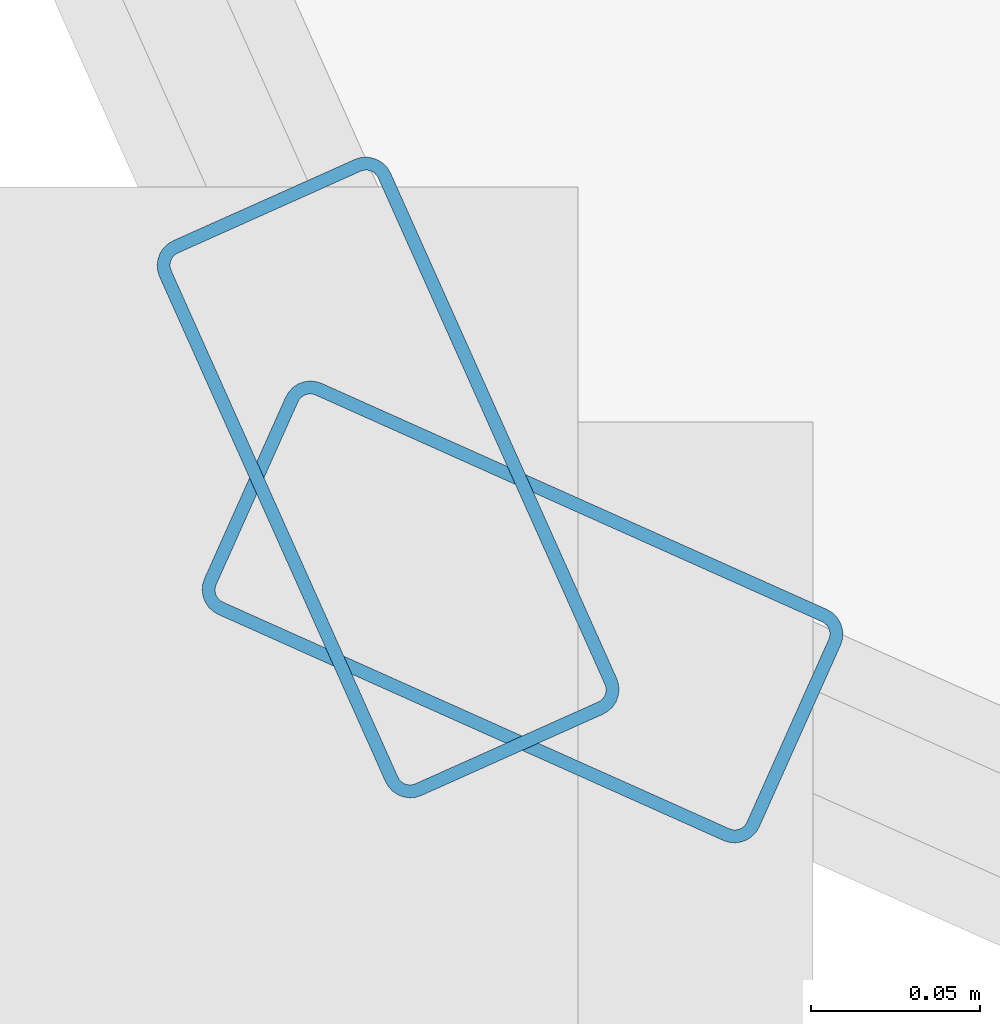
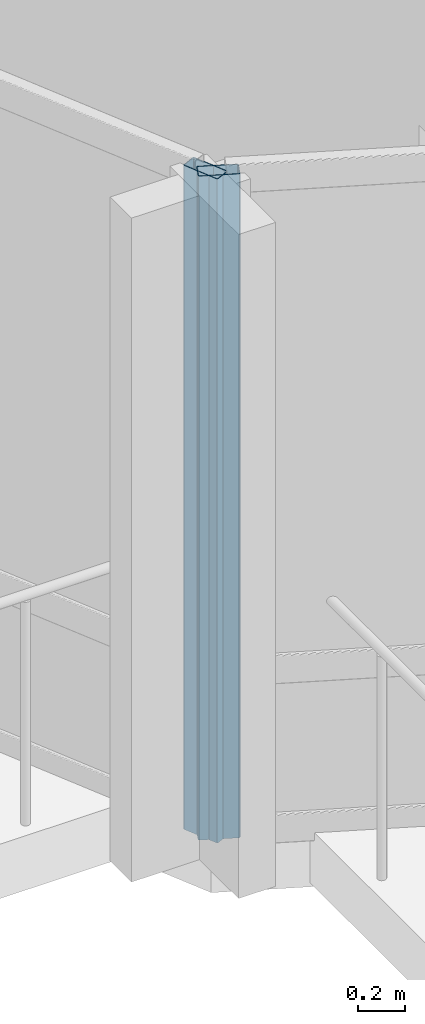
# One storey, part 2 of 19: 2 members, 2 elements without a shape of their own.
"""IFC4 building model written with IfcOpenShell, lengths in metres."""

import ifcopenshell
import ifcopenshell.guid

model = None  # the IFC model being written
_history = None  # IfcOwnerHistory: only IFC2X3 demands one
_inside = {}  # id of a spatial element -> (the spatial element, [elements in it])
_under = {}  # id of a project, library or spatial element -> (it, [spatial elements below it])
_declared = {}  # id of a project -> (the project, [libraries it declares])
_typed = {}  # id of a type object -> (the type object, [elements of that type])
_made_of = {}  # id of a material, layer set ... -> (it, [elements and type objects made of it])


def new_model(schema):
    """Start an empty IFC model of exactly this schema.

    Asked for "IFC4X3", IfcOpenShell would pick the latest addendum, in which some entities
    have other attributes; the version numbers below select the first issue.
    IFC2X3 requires an IfcOwnerHistory on every rooted entity: one is made here for all.
    """
    global model, _history
    if schema == "IFC4X3":
        model = ifcopenshell.file(schema_version=(4, 3, 0, 0))
    else:
        model = ifcopenshell.file(schema=schema)
    _inside.clear()
    _under.clear()
    _declared.clear()
    _typed.clear()
    _made_of.clear()
    _history = None
    if model.schema == "IFC2X3":
        org = make("IfcOrganization", Name="unknown")
        user = make(
            "IfcPersonAndOrganization",
            ThePerson=make("IfcPerson", FamilyName="unknown"),
            TheOrganization=org,
        )
        app = make(
            "IfcApplication",
            ApplicationDeveloper=org,
            Version="unknown",
            ApplicationFullName="unknown",
            ApplicationIdentifier="unknown",
        )
        _history = make(
            "IfcOwnerHistory",
            OwningUser=user,
            OwningApplication=app,
            ChangeAction="ADDED",
            CreationDate=0,
        )
    return model


def make(cls, **values):
    """One entity of the class cls with the attributes given. An attribute that is None is left unset."""
    return model.create_entity(
        cls, **{name: value for name, value in values.items() if value is not None}
    )


def rooted(cls, **values):
    """An entity with a GlobalId (a new one), such as an element, a storey or a relation."""
    return make(cls, GlobalId=ifcopenshell.guid.new(), OwnerHistory=_history, **values)


def si_unit(unit_type, name, prefix=None):
    """IfcSIUnit, for example si_unit("LENGTHUNIT", "METRE", prefix="MILLI")."""
    return make("IfcSIUnit", UnitType=unit_type, Prefix=prefix, Name=name)


def assignment(units):
    """IfcUnitAssignment: the units of a project."""
    return None if units is None else make("IfcUnitAssignment", Units=units)


def point(xyz):
    """IfcCartesianPoint."""
    return None if xyz is None else make("IfcCartesianPoint", Coordinates=xyz)


def direction(xyz):
    """IfcDirection."""
    return None if xyz is None else make("IfcDirection", DirectionRatios=xyz)


def frame(location, z_axis=None, x_axis=None):
    """IfcAxis2Placement3D, a coordinate frame: its origin and axes. An axis left out is left unset."""
    return make(
        "IfcAxis2Placement3D",
        Location=point(location),
        Axis=direction(z_axis),
        RefDirection=direction(x_axis),
    )


def frame_2d(location, x_axis=None):
    """IfcAxis2Placement2D, a coordinate frame in the plane: its origin and x axis."""
    return make(
        "IfcAxis2Placement2D", Location=point(location), RefDirection=direction(x_axis)
    )


def origin():
    """The frame at (0, 0, 0) with its axes left unset."""
    return frame((0.0, 0.0, 0.0))


def origin_2d():
    """The frame at (0, 0) in the plane with its x axis left unset."""
    return frame_2d((0.0, 0.0))


def place(relative_to, where):
    """IfcLocalPlacement: puts the frame where relative to a parent placement (None: the world)."""
    return make(
        "IfcLocalPlacement", PlacementRelTo=relative_to, RelativePlacement=where
    )


def context(
    kind, dimensions, precision=None, world=None, true_north=None, identifier=None
):
    """IfcGeometricRepresentationContext, for example the 3D "Model" context."""
    return make(
        "IfcGeometricRepresentationContext",
        ContextIdentifier=identifier,
        ContextType=kind,
        CoordinateSpaceDimension=dimensions,
        Precision=precision,
        WorldCoordinateSystem=world,
        TrueNorth=true_north,
    )


def subcontext(parent, identifier, kind, view, scale=None):
    """IfcGeometricRepresentationSubContext, for example "Body" below "Model"."""
    return make(
        "IfcGeometricRepresentationSubContext",
        ContextIdentifier=identifier,
        ContextType=kind,
        ParentContext=parent,
        TargetScale=scale,
        TargetView=view,
    )


def project(units=None, contexts=None):
    """IfcProject with its units and contexts."""
    return rooted(
        "IfcProject",
        Name="project",
        RepresentationContexts=contexts,
        UnitsInContext=assignment(units),
    )


def spatial(cls, under=None, at=None, **own):
    """A site, building, storey or space (cls), placed at a placement, below another one or the project."""
    s = rooted(cls, ObjectPlacement=at, **own)
    if under is not None:
        _under.setdefault(under.id(), (under, []))[1].append(s)
    return s


def profile(cls, at=None, kind="AREA", **sizes):
    """A parametric profile (cls). Its sizes go by their IFC names, for example OverallWidth=200.0."""
    return make(cls, ProfileType=kind, Position=at, **sizes)


def hollow_rectangle(**sizes):
    """IfcRectangleHollowProfileDef."""
    return profile("IfcRectangleHollowProfileDef", **sizes)


def extrude(swept, where, along, depth):
    """IfcExtrudedAreaSolid: the profile swept, set in the frame where, extruded along a direction by depth."""
    return make(
        "IfcExtrudedAreaSolid",
        SweptArea=swept,
        Position=where,
        ExtrudedDirection=direction(along),
        Depth=depth,
    )


def shape(context_of_items, identifier, shape_type, items):
    """IfcShapeRepresentation: the items that make up one representation, for example the "Body"."""
    return make(
        "IfcShapeRepresentation",
        ContextOfItems=context_of_items,
        RepresentationIdentifier=identifier,
        RepresentationType=shape_type,
        Items=items,
    )


def material(Name=None, Category=None):
    """IfcMaterial."""
    return make("IfcMaterial", Name=Name, Category=Category)


def layer(
    of_material, thickness, ventilated=None, Name=None, Category=None, Priority=None
):
    """IfcMaterialLayer: one layer of a wall or slab, of a material (None: an air gap)."""
    return make(
        "IfcMaterialLayer",
        Material=of_material,
        LayerThickness=thickness,
        IsVentilated=ventilated,
        Name=Name,
        Category=Category,
        Priority=Priority,
    )


def layer_set(layers, Name=None):
    """IfcMaterialLayerSet."""
    return make("IfcMaterialLayerSet", MaterialLayers=layers, LayerSetName=Name)


def material_profile(
    of_material, cross_section, Name=None, Category=None, Priority=None
):
    """IfcMaterialProfile: a cross section and its material."""
    return make(
        "IfcMaterialProfile",
        Name=Name,
        Material=of_material,
        Profile=cross_section,
        Priority=Priority,
        Category=Category,
    )


def profile_set(profiles, Name=None, composite=None):
    """IfcMaterialProfileSet."""
    return make(
        "IfcMaterialProfileSet",
        Name=Name,
        MaterialProfiles=profiles,
        CompositeProfile=composite,
    )


def made_of(thing, what):
    """Note that an element or type object is made of a material, layer set ...; save() writes the relation."""
    if what is not None:
        _made_of.setdefault(what.id(), (what, []))[1].append(thing)
    return thing


def type_object(cls, material=None, **own):
    """A type object (cls), such as IfcWallType, which elements share."""
    return made_of(rooted(cls, **own), material)


def element(
    cls,
    number,
    at=None,
    inside=None,
    cuts=None,
    type_object=None,
    material=None,
    context=None,
    identifier="Body",
    shape_type=None,
    held_by="IfcProductDefinitionShape",
    body=None,
    shapes=None,
    **own,
):
    """One element of the class cls, such as IfcWall. Its Tag is "e" and its number.

    at: its placement. inside: the storey or other place that contains it. cuts: it is an
    opening in that element (IfcRelVoidsElement). A single representation is given by context,
    identifier, shape_type and body (its items); several are given by shapes. held_by: the class
    of the entity that holds the representations. save() writes the other relations.
    """
    e = rooted(cls, Tag="e%d" % number, ObjectPlacement=at, **own)
    if body is not None:
        shapes = [shape(context, identifier, shape_type, body)]
    if shapes is not None:
        e.Representation = make(held_by, Representations=shapes)
    if inside is not None:
        _inside.setdefault(inside.id(), (inside, []))[1].append(e)
    if cuts is not None:
        rooted(
            "IfcRelVoidsElement", RelatingBuildingElement=cuts, RelatedOpeningElement=e
        )
    if type_object is not None:
        _typed.setdefault(type_object.id(), (type_object, []))[1].append(e)
    return made_of(e, material)


def aggregate(whole, parts):
    """IfcRelAggregates: a whole, such as a stair, and the parts it consists of."""
    return rooted("IfcRelAggregates", RelatingObject=whole, RelatedObjects=parts)


def save(model, path):
    """Write the relations noted so far, then the file.

    IfcRelAggregates (storeys below a building ...), IfcRelContainedInSpatialStructure (elements
    in a storey), IfcRelDefinesByType, IfcRelAssociatesMaterial and IfcRelDeclares: one each for
    every whole, place, type object, material and project.
    """
    for whole, parts in _under.values():
        aggregate(whole, parts)
    for where, things in _inside.values():
        rooted(
            "IfcRelContainedInSpatialStructure",
            RelatedElements=things,
            RelatingStructure=where,
        )
    for kind, things in _typed.values():
        rooted("IfcRelDefinesByType", RelatedObjects=things, RelatingType=kind)
    for what, things in _made_of.values():
        rooted("IfcRelAssociatesMaterial", RelatedObjects=things, RelatingMaterial=what)
    for by, libraries in _declared.values():
        rooted("IfcRelDeclares", RelatingContext=by, RelatedDefinitions=libraries)
    model.write(path)


model = new_model("IFC4")

# Units and contexts
model_context = context("Model", 3, precision=1e-05, world=origin(), true_north=direction((0.0, 1.0)))
body_context = subcontext(model_context, "Body", "Model", "MODEL_VIEW")
ifc_project = project(units=[si_unit("LENGTHUNIT", "METRE"), si_unit("AREAUNIT", "SQUARE_METRE"), si_unit("VOLUMEUNIT", "CUBIC_METRE"), si_unit("PLANEANGLEUNIT", "RADIAN"), si_unit("MASSUNIT", "GRAM", prefix="KILO")], contexts=[model_context])

# Site, building, storey
site_placement = place(None, origin())
site = spatial("IfcSite", under=ifc_project, at=site_placement, CompositionType="ELEMENT")
building_placement = place(site_placement, origin())
building = spatial("IfcBuilding", under=site, at=building_placement, Name="Solvaryn Broadcast Tower", CompositionType="ELEMENT")
storey_placement = place(building_placement, frame((0.0, 0.0, 274.10009765625)))
storey = spatial("IfcBuildingStorey", under=building, at=storey_placement, Name="L69", CompositionType="ELEMENT", Elevation=274.10009765625)

# Curtain wall, member
ifc_material_1 = material(Name="Aluminium and Terracotta Unitised Curtain Wall", Category="masonry")
ifc_layer = layer(ifc_material_1, 0.199951171875)
ifc_layer_set = layer_set([ifc_layer], Name="CW-SYS2-LOWMID")
curtain_wall_type = type_object("IfcCurtainWallType", Name="CW-SYS2-LOWMID", PredefinedType="NOTDEFINED", material=ifc_layer_set)
curtain_wall_1_placement = place(storey_placement, origin())
curtain_wall_1 = element("IfcCurtainWall", 1, at=curtain_wall_1_placement, inside=storey, type_object=curtain_wall_type, Name="L69 Curtain Wall DR2", PredefinedType="NOTDEFINED")
ifc_material_2 = material(Name="Anodised Aluminium 6063-T6", Category="aluminium")
ifc_material_profile = material_profile(ifc_material_2, hollow_rectangle(XDim=0.074951171875, YDim=0.179931640625, WallThickness=0.00390625, InnerFilletRadius=0.00390625, OuterFilletRadius=0.008056640625, at=origin_2d()))
ifc_profile_set = profile_set([ifc_material_profile], Name="Anodised Aluminium 6063-T6")
member_type = type_object("IfcMemberType", Name="CW-MUL-180", PredefinedType="MULLION", material=ifc_profile_set)
member_1_placement = place(storey_placement, frame((10.8046875, 10.844482421875, 0.0), z_axis=(0.0, 0.0, 1.0), x_axis=(0.912773530574, 0.408466010682, 0.0)))
member_1 = element("IfcMember", 2, at=member_1_placement, type_object=member_type, Name="CWS2 mullion 2", PredefinedType="MULLION", context=body_context, shape_type="SweptSolid", body=[
    extrude(hollow_rectangle(XDim=0.074951171875, YDim=0.179931640625, WallThickness=0.00390625, InnerFilletRadius=0.00390625, OuterFilletRadius=0.008056640625, at=origin_2d()), origin(), (0.0, 0.0, 1.0), 3.419921875),
])
aggregate(curtain_wall_1, [member_1])

curtain_wall_2_placement = place(storey_placement, origin())
curtain_wall_2 = element("IfcCurtainWall", 3, at=curtain_wall_2_placement, inside=storey, type_object=curtain_wall_type, Name="L69 Curtain Wall DR3", PredefinedType="NOTDEFINED")
member_2_placement = place(storey_placement, frame((10.844482421875, 10.8046875, 0.0), z_axis=(0.0, 0.0, 1.0), x_axis=(0.408466010682, 0.912773530574, 0.0)))
member_2 = element("IfcMember", 4, at=member_2_placement, type_object=member_type, Name="CWS2 mullion 1", PredefinedType="MULLION", context=body_context, shape_type="SweptSolid", body=[
    extrude(hollow_rectangle(XDim=0.074951171875, YDim=0.179931640625, WallThickness=0.00390625, InnerFilletRadius=0.00390625, OuterFilletRadius=0.008056640625, at=origin_2d()), origin(), (0.0, 0.0, 1.0), 3.419921875),
])
aggregate(curtain_wall_2, [member_2])

save(model, "model.ifc")
